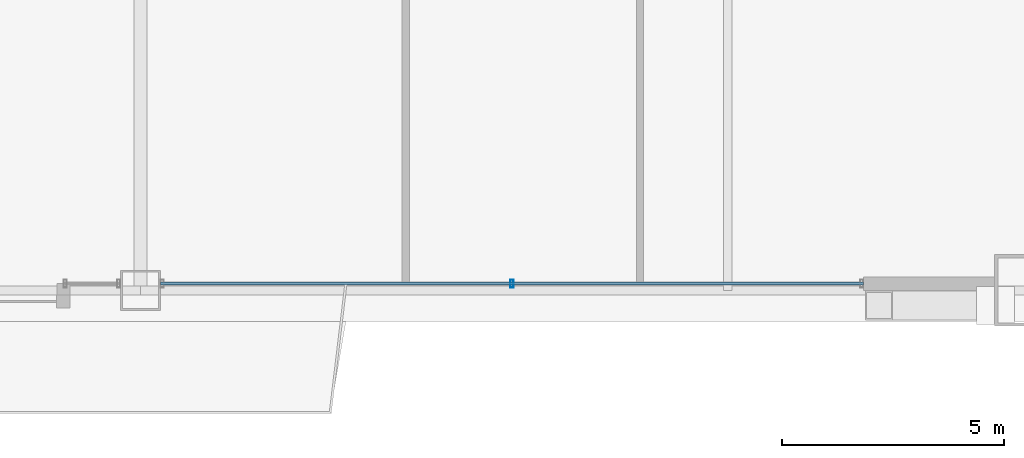
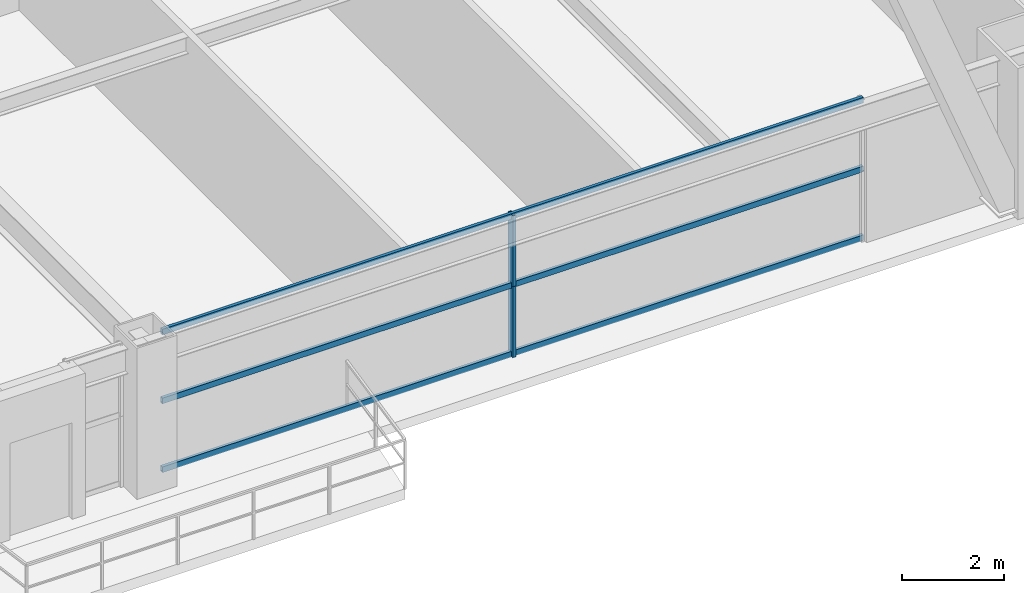
# One storey, part 15 of 43: 5 members, 1 element without a shape of its own.
"""IFC4 building model written with IfcOpenShell, lengths in metres."""

from ifc_helpers import new_model, si_unit, direction, frame, origin, origin_2d, place, context, subcontext, project, spatial, hollow_rectangle, extrude, source, transform, mapped, material, layer, layer_set, material_profile, profile_set, type_object, element, aggregate, save


model = new_model("IFC4")

# Units and contexts
model_context = context("Model", 3, precision=1e-05, world=origin(), true_north=direction((0.0, 1.0)))
body_context = subcontext(model_context, "Body", "Model", "MODEL_VIEW")
ifc_project = project(units=[si_unit("LENGTHUNIT", "METRE"), si_unit("AREAUNIT", "SQUARE_METRE"), si_unit("VOLUMEUNIT", "CUBIC_METRE"), si_unit("PLANEANGLEUNIT", "RADIAN"), si_unit("MASSUNIT", "GRAM", prefix="KILO"), si_unit("THERMODYNAMICTEMPERATUREUNIT", "KELVIN"), si_unit("POWERUNIT", "WATT")], contexts=[model_context])

# Site, building, storey
site_placement = place(None, origin())
site = spatial("IfcSite", under=ifc_project, at=site_placement, CompositionType="ELEMENT")
building_placement = place(site_placement, origin())
building = spatial("IfcBuilding", under=site, at=building_placement, Name="Yuzanri Waterfront Tower", CompositionType="ELEMENT")
storey_placement = place(building_placement, frame((0.0, 0.0, 138.0)))
storey = spatial("IfcBuildingStorey", under=building, at=storey_placement, Name="L36", CompositionType="ELEMENT", Elevation=138.0)

# Curtain wall, members
ifc_material_1 = material(Name="Anodized Architectural Bronze", Category="metal")
ifc_layer = layer(ifc_material_1, 0.159912109375)
ifc_layer_set = layer_set([ifc_layer], Name="Anodized Architectural Bronze")
curtain_wall_type = type_object("IfcCurtainWallType", Name="Anodized Bronze Hotel Upper-Tier Solar-Control Unitized Curtain Wall 7800", PredefinedType="NOTDEFINED", material=ifc_layer_set)
curtain_wall_placement = place(storey_placement, origin())
curtain_wall = element("IfcCurtainWall", 1, at=curtain_wall_placement, inside=storey, type_object=curtain_wall_type, Name="L36 Curtain Wall CW-L36-SR", PredefinedType="NOTDEFINED")
ifc_material_2 = material(Name="Anodized Architectural Bronze", Category="metal")
ifc_material_profile_1 = material_profile(ifc_material_2, hollow_rectangle(XDim=0.070068359375, YDim=0.179931640625, WallThickness=0.00390625, at=origin_2d()), Name="CWM 70x180")
ifc_profile_set_1 = profile_set([ifc_material_profile_1], Name="Anodized Architectural Bronze")
member_type_1 = type_object("IfcMemberType", Name="Anodized Bronze Standard Curtain-Wall Mullion 70x180", PredefinedType="MULLION", material=ifc_profile_set_1)
shared_shape_1 = source(origin(), body_context, "Body", "SweptSolid", [
    extrude(hollow_rectangle(XDim=0.070068359375, YDim=0.179931640625, WallThickness=0.00390625, at=origin_2d()), origin(), (0.0, 0.0, 1.0), 1.68798828125),
])
member_1_placement = place(storey_placement, frame((45.35009765625, 2.35009765625, 0.0), z_axis=(0.0, 0.0, 1.0), x_axis=(1.0, 0.0, 0.0)))
member_1 = element("IfcMember", 2, at=member_1_placement, type_object=member_type_1, Name="CW-L36-SR Lower Mullion 01", PredefinedType="MULLION", context=body_context, shape_type="MappedRepresentation", body=[
    mapped(shared_shape_1, transform((0.0, 0.0, 0.0), scale=1.0)),
])
member_2_placement = place(storey_placement, frame((45.35009765625, 2.35009765625, 1.69189453125), z_axis=(0.0, 0.0, 1.0), x_axis=(1.0, 0.0, 0.0)))
member_2 = element("IfcMember", 3, at=member_2_placement, type_object=member_type_1, Name="CW-L36-SR Upper Mullion 01", PredefinedType="MULLION", context=body_context, shape_type="MappedRepresentation", body=[
    mapped(shared_shape_1, transform((0.0, 0.0, 0.0), scale=1.0)),
])
ifc_material_3 = material(Name="Anodized Architectural Bronze", Category="metal")
ifc_material_profile_2 = material_profile(ifc_material_3, hollow_rectangle(XDim=0.070068359375, YDim=0.135009765625, WallThickness=0.00341796875, at=origin_2d()), Name="CWT 70x135")
ifc_profile_set_2 = profile_set([ifc_material_profile_2], Name="Anodized Architectural Bronze")
member_type_2 = type_object("IfcMemberType", Name="Anodized Bronze Standard Curtain-Wall Transom 70x135", PredefinedType="USERDEFINED", material=ifc_profile_set_2)
shared_shape_2 = source(origin(), body_context, "Body", "SweptSolid", [
    extrude(hollow_rectangle(XDim=0.070068359375, YDim=0.135009765625, WallThickness=0.00341796875, at=origin_2d()), origin(), (0.0, 0.0, 1.0), 15.800048828125),
])
member_3_placement = place(storey_placement, frame((37.449951171875, 2.35009765625, 0.050048828125), z_axis=(1.0, 0.0, 0.0), x_axis=(0.0, 1.0, 0.0)))
member_3 = element("IfcMember", 4, at=member_3_placement, type_object=member_type_2, Name="CW-L36-SR Transom 1", ObjectType="TRANSOM", PredefinedType="USERDEFINED", context=body_context, shape_type="MappedRepresentation", body=[
    mapped(shared_shape_2, transform((0.0, 0.0, 0.0), scale=1.0)),
])
member_4_placement = place(storey_placement, frame((37.449951171875, 2.35009765625, 1.68994140625), z_axis=(1.0, 0.0, 0.0), x_axis=(0.0, 1.0, 0.0)))
member_4 = element("IfcMember", 5, at=member_4_placement, type_object=member_type_2, Name="CW-L36-SR Transom 2", ObjectType="TRANSOM", PredefinedType="USERDEFINED", context=body_context, shape_type="MappedRepresentation", body=[
    mapped(shared_shape_2, transform((0.0, 0.0, 0.0), scale=1.0)),
])
member_5_placement = place(storey_placement, frame((37.449951171875, 2.35009765625, 3.330078125), z_axis=(1.0, 0.0, 0.0), x_axis=(0.0, 1.0, 0.0)))
member_5 = element("IfcMember", 6, at=member_5_placement, type_object=member_type_2, Name="CW-L36-SR Transom 3", ObjectType="TRANSOM", PredefinedType="USERDEFINED", context=body_context, shape_type="MappedRepresentation", body=[
    mapped(shared_shape_2, transform((0.0, 0.0, 0.0), scale=1.0)),
])
aggregate(curtain_wall, [member_1, member_2, member_3, member_4, member_5])

save(model, "model.ifc")
